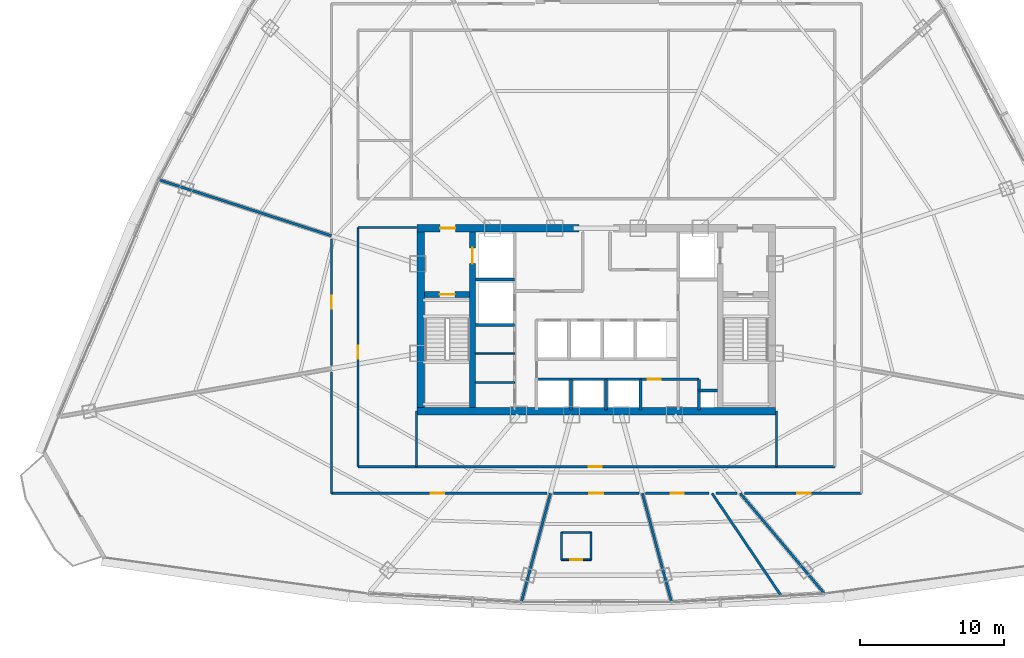
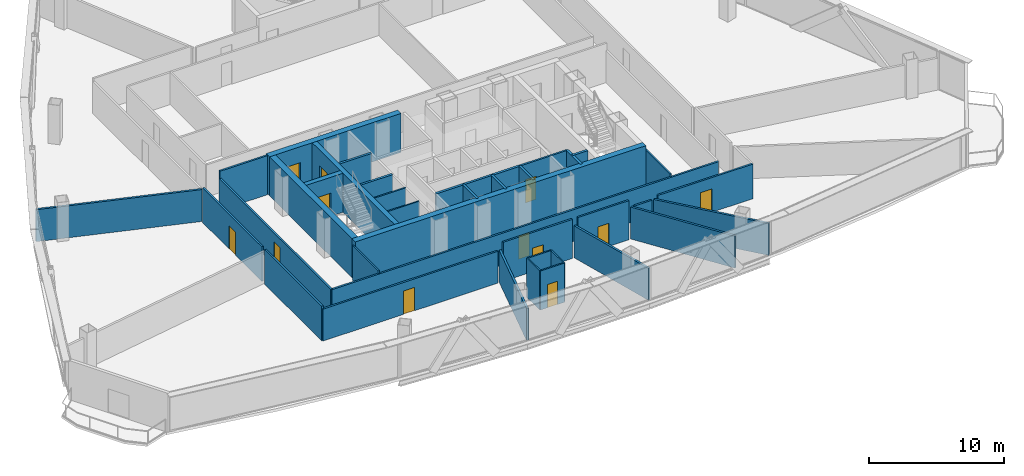
# One storey, part 30 of 37: 37 walls, 12 doors, 12 openings.
"""IFC4 building model written with IfcOpenShell, lengths in metres."""

from ifc_helpers import new_model, si_unit, direction, frame, frame_2d, origin, origin_with_axes, place, context, subcontext, project, spatial, rectangle, extrude, source, transform, mapped, material, layer, layer_set, type_object, element, fill, save


model = new_model("IFC4")

# Units and contexts
model_context = context("Model", 3, precision=1e-05, world=origin(), true_north=direction((0.0, 1.0)))
body_context = subcontext(model_context, "Body", "Model", "MODEL_VIEW")
ifc_project = project(units=[si_unit("LENGTHUNIT", "METRE"), si_unit("AREAUNIT", "SQUARE_METRE"), si_unit("VOLUMEUNIT", "CUBIC_METRE"), si_unit("PLANEANGLEUNIT", "RADIAN"), si_unit("MASSUNIT", "GRAM", prefix="KILO"), si_unit("THERMODYNAMICTEMPERATUREUNIT", "KELVIN"), si_unit("POWERUNIT", "WATT")], contexts=[model_context])

# Site, building, storey
site_placement = place(None, origin())
site = spatial("IfcSite", under=ifc_project, at=site_placement, CompositionType="ELEMENT")
building_placement = place(site_placement, origin())
building = spatial("IfcBuilding", under=site, at=building_placement, Name="Yunzhuo Pagoda Commons", CompositionType="ELEMENT")
storey_placement = place(building_placement, frame((0.0, 0.0, 196.159912109375)))
storey = spatial("IfcBuildingStorey", under=building, at=storey_placement, Name="L49", CompositionType="ELEMENT", Elevation=196.159912109375)

# Wall
ifc_material_1 = material(Name="Concrete C50", Category="concrete")
ifc_layer_1 = layer(ifc_material_1, 0.5)
ifc_layer_set_1 = layer_set([ifc_layer_1], Name="Concrete C50")
wall_type_1 = type_object("IfcWallType", Name="W-C03 Upper Core Shear Wall 500", PredefinedType="SHEAR", material=ifc_layer_set_1)
wall_1_placement = place(storey_placement, frame((35.550048828125, 27.5, 0.0), z_axis=(0.0, 0.0, 1.0), x_axis=(1.0, 0.0, 0.0)))
element("IfcWall", 1, at=wall_1_placement, inside=storey, type_object=wall_type_1, Name="L49 core shear wall S", PredefinedType="SHEAR", context=body_context, shape_type="SweptSolid", body=[
    extrude(rectangle(XDim=24.89990234375, YDim=0.5, at=frame_2d((12.449951171875, 0.0))), origin(), (0.0, 0.0, 1.0), 3.5400390625),
])

# Wall, opening, door
wall_2_placement = place(storey_placement, frame((35.550048828125, 40.199951171875, 0.0), z_axis=(0.0, 0.0, 1.0), x_axis=(1.0, 0.0, 0.0)))
wall_2 = element("IfcWall", 2, at=wall_2_placement, inside=storey, type_object=wall_type_1, Name="L49 core shear wall NW", PredefinedType="SHEAR", context=body_context, shape_type="SweptSolid", body=[
    extrude(rectangle(XDim=11.25, YDim=0.5, at=frame_2d((5.625, 0.0))), origin(), (0.0, 0.0, 1.0), 3.5400390625),
])
opening_1_placement = place(wall_2_placement, frame((1.60009765625, 0.0, 0.0)))
opening_1 = element("IfcOpeningElement", 3, at=opening_1_placement, cuts=wall_2, Name="Opening D-02", PredefinedType="OPENING", context=body_context, shape_type="SweptSolid", body=[
    extrude(rectangle(XDim=1.050048828125, YDim=2.10009765625, at=frame_2d((0.52490234375, 1.050048828125))), frame((0.0, 0.260009765625, 0.0), z_axis=(0.0, -1.0, 0.0), x_axis=(1.0, 0.0, 0.0)), (0.0, 0.0, 1.0), 0.52001953125),
])
ifc_material_2 = material(Name="Galvanized fire-resisting metal leaf")
door_type_1 = type_object("IfcDoorType", Name="D-02 Firefighting Lobby & Refuge Fire Door 1050x2100", OperationType="NOTDEFINED", PredefinedType="DOOR", material=ifc_material_2)
shared_shape_1 = source(origin(), body_context, "Body", "SweptSolid", [
    extrude(rectangle(XDim=1.050048828125, YDim=2.10009765625, at=frame_2d((0.52490234375, 1.050048828125))), frame((0.0, 0.02490234375, 0.0), z_axis=(0.0, -1.0, 0.0), x_axis=(1.0, 0.0, 0.0)), (0.0, 0.0, 1.0), 0.050048828125),
])
door_1_placement = place(opening_1_placement, frame((1.050048828125, 0.0, 0.0), z_axis=(0.0, 0.0, 1.0), x_axis=(-1.0, 0.0, 0.0)))
door_1 = element("IfcDoor", 4, at=door_1_placement, inside=storey, type_object=door_type_1, Name="L49 Firefighting Lobby 1 fire door", OperationType="SINGLE_SWING_LEFT", OverallHeight=2.10009765625, OverallWidth=1.050048828125, PredefinedType="DOOR", context=body_context, shape_type="MappedRepresentation", body=[
    mapped(shared_shape_1, transform((0.0, 0.0, 0.0), scale=1.0)),
])
fill(opening_1, door_1)

# Wall
wall_3_placement = place(storey_placement, frame((35.800048828125, 27.75, 0.0), z_axis=(0.0, 0.0, 1.0), x_axis=(0.0, 1.0, 0.0)))
element("IfcWall", 5, at=wall_3_placement, inside=storey, type_object=wall_type_1, Name="L49 core shear wall W", PredefinedType="SHEAR", context=body_context, shape_type="SweptSolid", body=[
    extrude(rectangle(XDim=12.199951171875, YDim=0.5, at=frame_2d((6.10009765625, 0.0))), origin(), (0.0, 0.0, 1.0), 3.5400390625),
])

# Wall, opening, door
ifc_material_3 = material(Name="Gypsum plasterboard on acoustic stud")
ifc_layer_2 = layer(ifc_material_3, 0.155029296875)
ifc_layer_set_2 = layer_set([ifc_layer_2], Name="Gypsum plasterboard on acoustic stud")
wall_type_2 = type_object("IfcWallType", Name="W-COR2 Mid-Zone Rated Corridor Wall 155", PredefinedType="PARTITIONING", material=ifc_layer_set_2)
wall_4_placement = place(storey_placement, frame((51.050048828125, 29.719970703125, 0.0), z_axis=(0.0, 0.0, 1.0), x_axis=(1.0, 0.0, 0.0)))
wall_4 = element("IfcWall", 6, at=wall_4_placement, inside=storey, type_object=wall_type_2, Name="L49 interior wall IW-L49-CSES", PredefinedType="PARTITIONING", context=body_context, shape_type="SweptSolid", body=[
    extrude(rectangle(XDim=4.070068359375, YDim=0.155029296875, at=frame_2d((2.03515625, 0.0))), origin(), (0.0, 0.0, 1.0), 3.5400390625),
])
opening_2_placement = place(wall_4_placement, frame((0.5, 0.0, 0.0)))
opening_2 = element("IfcOpeningElement", 7, at=opening_2_placement, cuts=wall_4, Name="Opening D-03", PredefinedType="OPENING", context=body_context, shape_type="SweptSolid", body=[
    extrude(rectangle(XDim=0.89990234375, YDim=2.10009765625, at=frame_2d((0.449951171875, 1.050048828125))), frame((0.0, 0.08740234375, 0.0), z_axis=(0.0, -1.0, 0.0), x_axis=(1.0, 0.0, 0.0)), (0.0, 0.0, 1.0), 0.175048828125),
])
door_type_2 = type_object("IfcDoorType", Name="D-03 Core Service Fire Door 900x2100", OperationType="NOTDEFINED", PredefinedType="DOOR", material=ifc_material_2)
shared_shape_2 = source(origin(), body_context, "Body", "SweptSolid", [
    extrude(rectangle(XDim=0.89990234375, YDim=2.10009765625, at=frame_2d((0.449951171875, 1.050048828125))), frame((0.0, 0.02490234375, 0.0), z_axis=(0.0, -1.0, 0.0), x_axis=(1.0, 0.0, 0.0)), (0.0, 0.0, 1.0), 0.050048828125),
])
door_2_placement = place(opening_2_placement, origin_with_axes())
door_2 = element("IfcDoor", 8, at=door_2_placement, inside=storey, type_object=door_type_2, Name="L49 core pantry door", OperationType="SINGLE_SWING_RIGHT", OverallHeight=2.10009765625, OverallWidth=0.89990234375, PredefinedType="DOOR", context=body_context, shape_type="MappedRepresentation", body=[
    mapped(shared_shape_2, transform((0.0, 0.0, 0.0), scale=1.0)),
])
fill(opening_2, door_2)

wall_5_placement = place(storey_placement, frame((31.449951171875, 23.64990234375, 0.0), z_axis=(0.0, 0.0, 1.0), x_axis=(0.0, 1.0, 0.0)))
wall_5 = element("IfcWall", 9, at=wall_5_placement, inside=storey, type_object=wall_type_2, Name="L49 interior wall IW-L49-SFLW", PredefinedType="PARTITIONING", context=body_context, shape_type="SweptSolid", body=[
    extrude(rectangle(XDim=16.60009765625, YDim=0.155029296875, at=frame_2d((8.300048828125, 0.0))), origin(), (0.0, 0.0, 1.0), 2.89013671875),
])
opening_3_placement = place(wall_5_placement, frame((7.5, 0.0, 0.0)))
opening_3 = element("IfcOpeningElement", 10, at=opening_3_placement, cuts=wall_5, Name="Opening D-12", PredefinedType="OPENING", context=body_context, shape_type="SweptSolid", body=[
    extrude(rectangle(XDim=0.89990234375, YDim=2.080078125, at=frame_2d((0.449951171875, 1.0400390625))), frame((0.0, 0.08740234375, 0.0), z_axis=(0.0, -1.0, 0.0), x_axis=(1.0, 0.0, 0.0)), (0.0, 0.0, 1.0), 0.175048828125),
])
ifc_material_4 = material(Name="Powder-coated aluminium and timber acoustic leaf", Category="wood")
door_type_3 = type_object("IfcDoorType", Name="D-12 Quiet Study Interior Door 900x2080", OperationType="NOTDEFINED", PredefinedType="DOOR", material=ifc_material_4)
shared_shape_3 = source(origin(), body_context, "Body", "SweptSolid", [
    extrude(rectangle(XDim=0.89990234375, YDim=2.080078125, at=frame_2d((0.449951171875, 1.0400390625))), frame((0.0, 0.02490234375, 0.0), z_axis=(0.0, -1.0, 0.0), x_axis=(1.0, 0.0, 0.0)), (0.0, 0.0, 1.0), 0.050048828125),
])
door_3_placement = place(opening_3_placement, origin_with_axes())
door_3 = element("IfcDoor", 11, at=door_3_placement, inside=storey, type_object=door_type_3, Name="L49 west study workroom door", OperationType="SINGLE_SWING_LEFT", OverallHeight=2.080078125, OverallWidth=0.89990234375, PredefinedType="DOOR", context=body_context, shape_type="MappedRepresentation", body=[
    mapped(shared_shape_3, transform((0.0, 0.0, 0.0), scale=1.0)),
])
fill(opening_3, door_3)

wall_6_placement = place(storey_placement, frame((31.449951171875, 23.64990234375, 0.0), z_axis=(0.0, 0.0, 1.0), x_axis=(1.0, 0.0, 0.0)))
wall_6 = element("IfcWall", 12, at=wall_6_placement, inside=storey, type_object=wall_type_2, Name="L49 interior wall IW-L49-SFLS", PredefinedType="PARTITIONING", context=body_context, shape_type="SweptSolid", body=[
    extrude(rectangle(XDim=33.10009765625, YDim=0.155029296875, at=frame_2d((16.550048828125, 0.0))), origin(), (0.0, 0.0, 1.0), 2.89013671875),
])
opening_4_placement = place(wall_6_placement, frame((16.0, 0.0, 0.0)))
opening_4 = element("IfcOpeningElement", 13, at=opening_4_placement, cuts=wall_6, Name="Opening D-04", PredefinedType="OPENING", context=body_context, shape_type="SweptSolid", body=[
    extrude(rectangle(XDim=0.919921875, YDim=2.10009765625, at=frame_2d((0.4599609375, 1.050048828125))), frame((0.0, 0.08740234375, 0.0), z_axis=(0.0, -1.0, 0.0), x_axis=(1.0, 0.0, 0.0)), (0.0, 0.0, 1.0), 0.175048828125),
])
door_type_4 = type_object("IfcDoorType", Name="D-04 Bedroom & Study Interior Door 920x2100", OperationType="NOTDEFINED", PredefinedType="DOOR", material=ifc_material_4)
shared_shape_4 = source(origin(), body_context, "Body", "SweptSolid", [
    extrude(rectangle(XDim=0.919921875, YDim=2.10009765625, at=frame_2d((0.4599609375, 1.050048828125))), frame((0.0, 0.02490234375, 0.0), z_axis=(0.0, -1.0, 0.0), x_axis=(1.0, 0.0, 0.0)), (0.0, 0.0, 1.0), 0.050048828125),
])
door_4_placement = place(opening_4_placement, frame((0.919921875, 0.0, 0.0), z_axis=(0.0, 0.0, 1.0), x_axis=(-1.0, 0.0, 0.0)))
door_4 = element("IfcDoor", 14, at=door_4_placement, inside=storey, type_object=door_type_4, Name="L49 south seminar room door", OperationType="SINGLE_SWING_RIGHT", OverallHeight=2.10009765625, OverallWidth=0.919921875, PredefinedType="DOOR", context=body_context, shape_type="MappedRepresentation", body=[
    mapped(shared_shape_4, transform((0.0, 0.0, 0.0), scale=1.0)),
])
fill(opening_4, door_4)

# Walls
wall_7_placement = place(storey_placement, frame((31.449951171875, 40.25, 0.0), z_axis=(0.0, 0.0, 1.0), x_axis=(1.0, 0.0, 0.0)))
element("IfcWall", 15, at=wall_7_placement, inside=storey, type_object=wall_type_2, Name="L49 interior wall IW-L49-SFLNW", PredefinedType="PARTITIONING", context=body_context, shape_type="SweptSolid", body=[
    extrude(rectangle(XDim=4.050048828125, YDim=0.155029296875, at=frame_2d((2.02490234375, 0.0))), origin(), (0.0, 0.0, 1.0), 3.5400390625),
])
wall_8_placement = place(storey_placement, frame((29.60009765625, 21.800048828125, 0.0), z_axis=(0.0, 0.0, 1.0), x_axis=(0.0, 1.0, 0.0)))
element("IfcWall", 16, at=wall_8_placement, inside=storey, type_object=wall_type_2, Name="L49 interior wall IW-L49-CWL01", PredefinedType="PARTITIONING", context=body_context, shape_type="SweptSolid", body=[
    extrude(rectangle(XDim=8.43212890625, YDim=0.155029296875, at=frame_2d((4.216064453125, 0.0))), origin(), (0.0, 0.0, 1.0), 3.14013671875),
])

# Wall, opening, door
wall_9_placement = place(storey_placement, frame((29.60009765625, 30.67529296875, 0.0), z_axis=(0.0, 0.0, 1.0), x_axis=(0.0, 1.0, 0.0)))
wall_9 = element("IfcWall", 17, at=wall_9_placement, inside=storey, type_object=wall_type_2, Name="L49 interior wall IW-L49-CWL02", PredefinedType="PARTITIONING", context=body_context, shape_type="SweptSolid", body=[
    extrude(rectangle(XDim=8.783447265625, YDim=0.155029296875, at=frame_2d((4.3916015625, 0.0))), origin(), (0.0, 0.0, 1.0), 3.14013671875),
])
opening_5_placement = place(wall_9_placement, frame((3.931640625, 0.0, 0.0)))
opening_5 = element("IfcOpeningElement", 18, at=opening_5_placement, cuts=wall_9, Name="Opening D-04", PredefinedType="OPENING", context=body_context, shape_type="SweptSolid", body=[
    extrude(rectangle(XDim=0.919921875, YDim=2.10009765625, at=frame_2d((0.4599609375, 1.050048828125))), frame((0.0, 0.08740234375, 0.0), z_axis=(0.0, -1.0, 0.0), x_axis=(1.0, 0.0, 0.0)), (0.0, 0.0, 1.0), 0.175048828125),
])
door_5_placement = place(opening_5_placement, origin_with_axes())
door_5 = element("IfcDoor", 19, at=door_5_placement, inside=storey, type_object=door_type_4, Name="L49 seminar room 05 door", OperationType="SINGLE_SWING_RIGHT", OverallHeight=2.10009765625, OverallWidth=0.919921875, PredefinedType="DOOR", context=body_context, shape_type="MappedRepresentation", body=[
    mapped(shared_shape_4, transform((0.0, 0.0, 0.0), scale=1.0)),
])
fill(opening_5, door_5)

wall_10_placement = place(storey_placement, frame((66.39990234375, 21.800048828125, 0.0), z_axis=(0.0, 0.0, 1.0), x_axis=(-1.0, 0.0, 0.0)))
wall_10 = element("IfcWall", 20, at=wall_10_placement, inside=storey, type_object=wall_type_2, Name="L49 interior wall IW-L49-CWL12", PredefinedType="PARTITIONING", context=body_context, shape_type="SweptSolid", body=[
    extrude(rectangle(XDim=8.12744140625, YDim=0.155029296875, at=frame_2d((4.063720703125, 0.0))), origin(), (0.0, 0.0, 1.0), 3.14013671875),
])
opening_6_placement = place(wall_10_placement, frame((3.50244140625, 0.0, 0.0)))
opening_6 = element("IfcOpeningElement", 21, at=opening_6_placement, cuts=wall_10, Name="Opening D-07", PredefinedType="OPENING", context=body_context, shape_type="SweptSolid", body=[
    extrude(rectangle(XDim=0.9599609375, YDim=2.1201171875, at=frame_2d((0.47998046875, 1.06005859375))), frame((0.0, 0.08740234375, 0.0), z_axis=(0.0, -1.0, 0.0), x_axis=(1.0, 0.0, 0.0)), (0.0, 0.0, 1.0), 0.175048828125),
])
door_type_5 = type_object("IfcDoorType", Name="D-07 Mid-Zone Suite Entrance Fire Door 960x2120", OperationType="NOTDEFINED", PredefinedType="DOOR", material=ifc_material_2)
shared_shape_5 = source(origin(), body_context, "Body", "SweptSolid", [
    extrude(rectangle(XDim=0.9599609375, YDim=2.1201171875, at=frame_2d((0.47998046875, 1.06005859375))), frame((0.0, 0.02490234375, 0.0), z_axis=(0.0, -1.0, 0.0), x_axis=(1.0, 0.0, 0.0)), (0.0, 0.0, 1.0), 0.050048828125),
])
door_6_placement = place(opening_6_placement, origin_with_axes())
door_6 = element("IfcDoor", 22, at=door_6_placement, inside=storey, type_object=door_type_5, Name="L49 unit 10 entrance door", OperationType="SINGLE_SWING_LEFT", OverallHeight=2.1201171875, OverallWidth=0.9599609375, PredefinedType="DOOR", context=body_context, shape_type="MappedRepresentation", body=[
    mapped(shared_shape_5, transform((0.0, 0.0, 0.0), scale=1.0)),
])
fill(opening_6, door_6)

# Wall
wall_11_placement = place(storey_placement, frame((57.765380859375, 21.800048828125, 0.0), z_axis=(0.0, 0.0, 1.0), x_axis=(-1.0, 0.0, 0.0)))
element("IfcWall", 23, at=wall_11_placement, inside=storey, type_object=wall_type_2, Name="L49 interior wall IW-L49-CWL13", PredefinedType="PARTITIONING", context=body_context, shape_type="SweptSolid", body=[
    extrude(rectangle(XDim=1.473388671875, YDim=0.155029296875, at=frame_2d((0.73681640625, 0.0))), origin(), (0.0, 0.0, 1.0), 2.89013671875),
])

# Wall, opening, door
wall_12_placement = place(storey_placement, frame((55.806640625, 21.800048828125, 0.0), z_axis=(0.0, 0.0, 1.0), x_axis=(-1.0, 0.0, 0.0)))
wall_12 = element("IfcWall", 24, at=wall_12_placement, inside=storey, type_object=wall_type_2, Name="L49 interior wall IW-L49-CWL14", PredefinedType="PARTITIONING", context=body_context, shape_type="SweptSolid", body=[
    extrude(rectangle(XDim=4.39013671875, YDim=0.155029296875, at=frame_2d((2.195068359375, 0.0))), origin(), (0.0, 0.0, 1.0), 3.5400390625),
])
opening_7_placement = place(wall_12_placement, frame((1.739013671875, 0.0, 0.0)))
opening_7 = element("IfcOpeningElement", 25, at=opening_7_placement, cuts=wall_12, Name="Opening D-04", PredefinedType="OPENING", context=body_context, shape_type="SweptSolid", body=[
    extrude(rectangle(XDim=0.919921875, YDim=2.10009765625, at=frame_2d((0.4599609375, 1.050048828125))), frame((0.0, 0.08740234375, 0.0), z_axis=(0.0, -1.0, 0.0), x_axis=(1.0, 0.0, 0.0)), (0.0, 0.0, 1.0), 0.175048828125),
])
door_7_placement = place(opening_7_placement, origin_with_axes())
door_7 = element("IfcDoor", 26, at=door_7_placement, inside=storey, type_object=door_type_4, Name="L49 fellow workroom 08 door", OperationType="SINGLE_SWING_LEFT", OverallHeight=2.10009765625, OverallWidth=0.919921875, PredefinedType="DOOR", context=body_context, shape_type="MappedRepresentation", body=[
    mapped(shared_shape_4, transform((0.0, 0.0, 0.0), scale=1.0)),
])
fill(opening_7, door_7)

wall_13_placement = place(storey_placement, frame((50.96875, 21.800048828125, 0.0), z_axis=(0.0, 0.0, 1.0), x_axis=(-1.0, 0.0, 0.0)))
wall_13 = element("IfcWall", 27, at=wall_13_placement, inside=storey, type_object=wall_type_2, Name="L49 interior wall IW-L49-CWL15", PredefinedType="PARTITIONING", context=body_context, shape_type="SweptSolid", body=[
    extrude(rectangle(XDim=5.9375, YDim=0.155029296875, at=frame_2d((2.96875, 0.0))), origin(), (0.0, 0.0, 1.0), 3.5400390625),
])
opening_8_placement = place(wall_13_placement, frame((2.493896484375, 0.0, 0.0)))
opening_8 = element("IfcOpeningElement", 28, at=opening_8_placement, cuts=wall_13, Name="Opening D-07", PredefinedType="OPENING", context=body_context, shape_type="SweptSolid", body=[
    extrude(rectangle(XDim=0.9599609375, YDim=2.1201171875, at=frame_2d((0.47998046875, 1.06005859375))), frame((0.0, 0.08740234375, 0.0), z_axis=(0.0, -1.0, 0.0), x_axis=(1.0, 0.0, 0.0)), (0.0, 0.0, 1.0), 0.175048828125),
])
door_8_placement = place(opening_8_placement, origin_with_axes())
door_8 = element("IfcDoor", 29, at=door_8_placement, inside=storey, type_object=door_type_5, Name="L49 unit 07 entrance door", OperationType="SINGLE_SWING_RIGHT", OverallHeight=2.1201171875, OverallWidth=0.9599609375, PredefinedType="DOOR", context=body_context, shape_type="MappedRepresentation", body=[
    mapped(shared_shape_5, transform((0.0, 0.0, 0.0), scale=1.0)),
])
fill(opening_8, door_8)

wall_14_placement = place(storey_placement, frame((44.58349609375, 21.800048828125, 0.0), z_axis=(0.0, 0.0, 1.0), x_axis=(-1.0, 0.0, 0.0)))
wall_14 = element("IfcWall", 30, at=wall_14_placement, inside=storey, type_object=wall_type_2, Name="L49 interior wall IW-L49-CWL16", PredefinedType="PARTITIONING", context=body_context, shape_type="SweptSolid", body=[
    extrude(rectangle(XDim=14.9833984375, YDim=0.155029296875, at=frame_2d((7.49169921875, 0.0))), origin(), (0.0, 0.0, 1.0), 2.89013671875),
])
opening_9_placement = place(wall_14_placement, frame((7.1328125, 0.0, 0.0)))
opening_9 = element("IfcOpeningElement", 31, at=opening_9_placement, cuts=wall_14, Name="Opening D-07", PredefinedType="OPENING", context=body_context, shape_type="SweptSolid", body=[
    extrude(rectangle(XDim=0.9599609375, YDim=2.1201171875, at=frame_2d((0.47998046875, 1.06005859375))), frame((0.0, 0.08740234375, 0.0), z_axis=(0.0, -1.0, 0.0), x_axis=(1.0, 0.0, 0.0)), (0.0, 0.0, 1.0), 0.175048828125),
])
door_9_placement = place(opening_9_placement, origin_with_axes())
door_9 = element("IfcDoor", 32, at=door_9_placement, inside=storey, type_object=door_type_5, Name="L49 Academic Reading Commons 2 door", OperationType="SINGLE_SWING_LEFT", OverallHeight=2.1201171875, OverallWidth=0.9599609375, PredefinedType="DOOR", context=body_context, shape_type="MappedRepresentation", body=[
    mapped(shared_shape_5, transform((0.0, 0.0, 0.0), scale=1.0)),
])
fill(opening_9, door_9)

# Walls
ifc_layer_3 = layer(ifc_material_3, 0.1201171875)
ifc_layer_set_3 = layer_set([ifc_layer_3], Name="Gypsum plasterboard on acoustic stud")
wall_type_3 = type_object("IfcWallType", Name="W-PRT1 Suite & Bathroom Partition 120", PredefinedType="PARTITIONING", material=ifc_layer_set_3)
for number, where, z_axis, x_axis, name in (
    (33, (39.60009765625, 29.5, 0.0), (0.0, 0.0, 1.0), (1.0, 0.0, 0.0), "L49 interior wall IW-L49-CC1"),
    (34, (39.60009765625, 31.5, 0.0), (0.0, 0.0, 1.0), (1.0, 0.0, 0.0), "L49 interior wall IW-L49-CC2"),
):
    element("IfcWall", number, at=place(storey_placement, frame(where, z_axis=z_axis, x_axis=x_axis)), inside=storey, type_object=wall_type_3, Name=name, PredefinedType="PARTITIONING", context=body_context, shape_type="SweptSolid", body=[
        extrude(rectangle(XDim=2.719970703125, YDim=0.1201171875, at=frame_2d((1.35986328125, 0.0))), origin(), (0.0, 0.0, 1.0), 3.5400390625),
    ])
for number, where, z_axis, x_axis, name in (
    (35, (35.5, 23.64990234375, 0.0), (0.0, 0.0, 1.0), (0.0, 1.0, 0.0), "L49 interior wall IW-L49-SFLD1"),
    (36, (60.5, 23.64990234375, 0.0), (0.0, 0.0, 1.0), (0.0, 1.0, 0.0), "L49 interior wall IW-L49-SFLD2"),
):
    element("IfcWall", number, at=place(storey_placement, frame(where, z_axis=z_axis, x_axis=x_axis)), inside=storey, type_object=wall_type_3, Name=name, PredefinedType="PARTITIONING", context=body_context, shape_type="SweptSolid", body=[
        extrude(rectangle(XDim=3.85009765625, YDim=0.1201171875, at=frame_2d((1.925048828125, 0.0))), origin(), (0.0, 0.0, 1.0), 3.14013671875),
    ])

# Wall, opening, door
wall_15_placement = place(storey_placement, frame((45.574951171875, 17.18701171875, 0.0), z_axis=(0.0, 0.0, 1.0), x_axis=(1.0, 0.0, 0.0)))
wall_15 = element("IfcWall", 37, at=wall_15_placement, inside=storey, type_object=wall_type_3, Name="L49 interior wall IW-L49-B07S", PredefinedType="PARTITIONING", context=body_context, shape_type="SweptSolid", body=[
    extrude(rectangle(XDim=2.050048828125, YDim=0.1201171875, at=frame_2d((1.02490234375, 0.0))), origin(), (0.0, 0.0, 1.0), 3.5400390625),
])
opening_10_placement = place(wall_15_placement, frame((0.60009765625, 0.0, 0.0)))
opening_10 = element("IfcOpeningElement", 38, at=opening_10_placement, cuts=wall_15, Name="Opening D-05", PredefinedType="OPENING", context=body_context, shape_type="SweptSolid", body=[
    extrude(rectangle(XDim=0.85009765625, YDim=2.10009765625, at=frame_2d((0.425048828125, 1.050048828125))), frame((0.0, 0.070068359375, 0.0), z_axis=(0.0, -1.0, 0.0), x_axis=(1.0, 0.0, 0.0)), (0.0, 0.0, 1.0), 0.14013671875),
])
door_type_6 = type_object("IfcDoorType", Name="D-05 En-Suite Bathroom Door 850x2100", OperationType="NOTDEFINED", PredefinedType="DOOR", material=ifc_material_4)
shared_shape_6 = source(origin(), body_context, "Body", "SweptSolid", [
    extrude(rectangle(XDim=0.85009765625, YDim=2.10009765625, at=frame_2d((0.425048828125, 1.050048828125))), frame((0.0, 0.02490234375, 0.0), z_axis=(0.0, -1.0, 0.0), x_axis=(1.0, 0.0, 0.0)), (0.0, 0.0, 1.0), 0.050048828125),
])
door_10_placement = place(opening_10_placement, frame((0.85009765625, 0.0, 0.0), z_axis=(0.0, 0.0, 1.0), x_axis=(-1.0, 0.0, 0.0)))
door_10 = element("IfcDoor", 39, at=door_10_placement, inside=storey, type_object=door_type_6, Name="L49 unit 07 bathroom door", OperationType="SINGLE_SWING_RIGHT", OverallHeight=2.10009765625, OverallWidth=0.85009765625, PredefinedType="DOOR", context=body_context, shape_type="MappedRepresentation", body=[
    mapped(shared_shape_6, transform((0.0, 0.0, 0.0), scale=1.0)),
])
fill(opening_10, door_10)

# Walls
wall_16_placement = place(storey_placement, frame((47.625, 17.18701171875, 0.0), z_axis=(0.0, 0.0, 1.0), x_axis=(0.0, 1.0, 0.0)))
element("IfcWall", 40, at=wall_16_placement, inside=storey, type_object=wall_type_3, Name="L49 interior wall IW-L49-B07E", PredefinedType="PARTITIONING", context=body_context, shape_type="SweptSolid", body=[
    extrude(rectangle(XDim=1.89990234375, YDim=0.1201171875, at=frame_2d((0.949951171875, 0.0))), origin(), (0.0, 0.0, 1.0), 3.5400390625),
])
wall_17_placement = place(storey_placement, frame((47.625, 19.0869140625, 0.0), z_axis=(0.0, 0.0, 1.0), x_axis=(-1.0, 0.0, 0.0)))
element("IfcWall", 41, at=wall_17_placement, inside=storey, type_object=wall_type_3, Name="L49 interior wall IW-L49-B07N", PredefinedType="PARTITIONING", context=body_context, shape_type="SweptSolid", body=[
    extrude(rectangle(XDim=2.050048828125, YDim=0.1201171875, at=frame_2d((1.02490234375, 0.0))), origin(), (0.0, 0.0, 1.0), 3.5400390625),
])
wall_18_placement = place(storey_placement, frame((45.574951171875, 19.0869140625, 0.0), z_axis=(0.0, 0.0, 1.0), x_axis=(0.0, -1.0, 0.0)))
element("IfcWall", 42, at=wall_18_placement, inside=storey, type_object=wall_type_3, Name="L49 interior wall IW-L49-B07W", PredefinedType="PARTITIONING", context=body_context, shape_type="SweptSolid", body=[
    extrude(rectangle(XDim=1.89990234375, YDim=0.1201171875, at=frame_2d((0.949951171875, 0.0))), origin(), (0.0, 0.0, 1.0), 3.5400390625),
])
ifc_layer_4 = layer(ifc_material_3, 0.175048828125)
ifc_layer_set_4 = layer_set([ifc_layer_4], Name="Gypsum plasterboard on acoustic stud")
wall_type_4 = type_object("IfcWallType", Name="W-PRT3 Mid-Zone Demising Wall 175", PredefinedType="PARTITIONING", material=ifc_layer_set_4)
wall_19_placement = place(storey_placement, frame((29.60009765625, 39.678466796875, 0.0), z_axis=(0.0, 0.0, 1.0), x_axis=(-0.951056149915, 0.309018121975, 0.0)))
element("IfcWall", 43, at=wall_19_placement, inside=storey, type_object=wall_type_4, Name="L49 interior wall IW-L49-RAD04", PredefinedType="PARTITIONING", context=body_context, shape_type="SweptSolid", body=[
    extrude(rectangle(XDim=12.592529296875, YDim=0.175048828125, at=frame_2d((6.29638671875, 0.0))), origin(), (0.0, 0.0, 1.0), 2.89013671875),
])
for number, where, z_axis, x_axis, name in (
    (44, (44.811279296875, 21.800048828125, 0.0), (0.0, 0.0, 1.0), (-0.258810863021, -0.965928018634, 0.0), "L49 interior wall IW-L49-RAD06"),
    (45, (51.188720703125, 21.800048828125, 0.0), (0.0, 0.0, 1.0), (0.258810863021, -0.965928018634, 0.0), "L49 interior wall IW-L49-RAD07"),
):
    element("IfcWall", number, at=place(storey_placement, frame(where, z_axis=z_axis, x_axis=x_axis)), inside=storey, type_object=wall_type_4, Name=name, PredefinedType="PARTITIONING", context=body_context, shape_type="SweptSolid", body=[
        extrude(rectangle(XDim=7.833251953125, YDim=0.175048828125, at=frame_2d((3.91650390625, 0.0))), origin(), (0.0, 0.0, 1.0), 2.89013671875),
    ])
wall_20_placement = place(storey_placement, frame((56.026611328125, 21.800048828125, 0.0), z_axis=(0.0, 0.0, 1.0), x_axis=(0.559186988523, -0.829041562207, 0.0)))
element("IfcWall", 46, at=wall_20_placement, inside=storey, type_object=wall_type_4, Name="L49 interior wall IW-L49-RAD08", PredefinedType="PARTITIONING", context=body_context, shape_type="SweptSolid", body=[
    extrude(rectangle(XDim=8.611083984375, YDim=0.175048828125, at=frame_2d((4.3056640625, 0.0))), origin(), (0.0, 0.0, 1.0), 2.89013671875),
])
wall_21_placement = place(storey_placement, frame((57.9853515625, 21.800048828125, 0.0), z_axis=(0.0, 0.0, 1.0), x_axis=(0.642790573147, -0.76604195647, 0.0)))
element("IfcWall", 47, at=wall_21_placement, inside=storey, type_object=wall_type_4, Name="L49 interior wall IW-L49-RAD09", PredefinedType="PARTITIONING", context=body_context, shape_type="SweptSolid", body=[
    extrude(rectangle(XDim=9.099853515625, YDim=0.175048828125, at=frame_2d((4.5498046875, 0.0))), origin(), (0.0, 0.0, 1.0), 2.89013671875),
])

# Wall, opening, door
ifc_material_5 = material(Name="Concrete C60", Category="concrete")
ifc_layer_5 = layer(ifc_material_5, 0.39990234375)
ifc_layer_set_5 = layer_set([ifc_layer_5], Name="Concrete C60")
wall_type_5 = type_object("IfcWallType", Name="W-S01 Internal Core Shear Web 400", PredefinedType="SHEAR", material=ifc_layer_set_5)
wall_22_placement = place(storey_placement, frame((39.39990234375, 27.75, 0.0), z_axis=(0.0, 0.0, 1.0), x_axis=(0.0, 1.0, 0.0)))
wall_22 = element("IfcWall", 48, at=wall_22_placement, inside=storey, type_object=wall_type_5, Name="L49 core shear wall WEBW", PredefinedType="SHEAR", context=body_context, shape_type="SweptSolid", body=[
    extrude(rectangle(XDim=12.199951171875, YDim=0.39990234375, at=frame_2d((6.10009765625, 0.0))), origin(), (0.0, 0.0, 1.0), 3.5400390625),
])
opening_11_placement = place(wall_22_placement, frame((10.0, 0.0, 0.0)))
opening_11 = element("IfcOpeningElement", 49, at=opening_11_placement, cuts=wall_22, Name="Opening LD-01", PredefinedType="OPENING", context=body_context, shape_type="SweptSolid", body=[
    extrude(rectangle(XDim=1.10009765625, YDim=2.10009765625, at=frame_2d((0.550048828125, 1.050048828125))), frame((0.0, 0.2099609375, 0.0), z_axis=(0.0, -1.0, 0.0), x_axis=(1.0, 0.0, 0.0)), (0.0, 0.0, 1.0), 0.419921875),
])
door_type_7 = type_object("IfcDoorType", Name="LD-01 Firefighting Lift Landing Door 1100x2100", OperationType="DOUBLE_DOOR_SLIDING", PredefinedType="DOOR", material=ifc_material_2)
shared_shape_7 = source(origin(), body_context, "Body", "SweptSolid", [
    extrude(rectangle(XDim=1.10009765625, YDim=2.10009765625, at=frame_2d((0.550048828125, 1.050048828125))), frame((0.0, 0.02490234375, 0.0), z_axis=(0.0, -1.0, 0.0), x_axis=(1.0, 0.0, 0.0)), (0.0, 0.0, 1.0), 0.050048828125),
])
door_11_placement = place(opening_11_placement, frame((1.10009765625, 0.0, 0.0), z_axis=(0.0, 0.0, 1.0), x_axis=(-1.0, 0.0, 0.0)))
door_11 = element("IfcDoor", 50, at=door_11_placement, inside=storey, type_object=door_type_7, Name="L49 Firefighting lift FL-1 landing door", OperationType="DOUBLE_DOOR_SLIDING", OverallHeight=2.10009765625, OverallWidth=1.10009765625, PredefinedType="DOOR", context=body_context, shape_type="MappedRepresentation", body=[
    mapped(shared_shape_7, transform((0.0, 0.0, 0.0), scale=1.0)),
])
fill(opening_11, door_11)

wall_23_placement = place(storey_placement, frame((36.050048828125, 35.60009765625, 0.0), z_axis=(0.0, 0.0, 1.0), x_axis=(1.0, 0.0, 0.0)))
wall_23 = element("IfcWall", 51, at=wall_23_placement, inside=storey, type_object=wall_type_5, Name="L49 core shear wall STW", PredefinedType="SHEAR", context=body_context, shape_type="SweptSolid", body=[
    extrude(rectangle(XDim=3.14990234375, YDim=0.39990234375, at=frame_2d((1.574951171875, 0.0))), origin(), (0.0, 0.0, 1.0), 3.5400390625),
])
opening_12_placement = place(wall_23_placement, frame((1.070068359375, 0.0, 0.0)))
opening_12 = element("IfcOpeningElement", 52, at=opening_12_placement, cuts=wall_23, Name="Opening D-01", PredefinedType="OPENING", context=body_context, shape_type="SweptSolid", body=[
    extrude(rectangle(XDim=1.050048828125, YDim=2.10009765625, at=frame_2d((0.52490234375, 1.050048828125))), frame((0.0, 0.2099609375, 0.0), z_axis=(0.0, -1.0, 0.0), x_axis=(1.0, 0.0, 0.0)), (0.0, 0.0, 1.0), 0.419921875),
])
door_type_8 = type_object("IfcDoorType", Name="D-01 Smokeproof Stair Fire Door 1050x2100", OperationType="NOTDEFINED", PredefinedType="DOOR", material=ifc_material_2)
door_12_placement = place(opening_12_placement, frame((1.050048828125, 0.0, 0.0), z_axis=(0.0, 0.0, 1.0), x_axis=(-1.0, 0.0, 0.0)))
door_12 = element("IfcDoor", 53, at=door_12_placement, inside=storey, type_object=door_type_8, Name="L49 Stair ST1 fire door", OperationType="SINGLE_SWING_LEFT", OverallHeight=2.10009765625, OverallWidth=1.050048828125, PredefinedType="DOOR", context=body_context, shape_type="MappedRepresentation", body=[
    mapped(shared_shape_1, transform((0.0, 0.0, 0.0), scale=1.0)),
])
fill(opening_12, door_12)

# Walls
ifc_material_6 = material(Name="Concrete C40", Category="concrete")
ifc_layer_6 = layer(ifc_material_6, 0.199951171875)
ifc_layer_set_6 = layer_set([ifc_layer_6], Name="Concrete C40")
wall_type_6 = type_object("IfcWallType", Name="W-SHF Shaft & Stair Enclosure Wall 200", PredefinedType="SOLIDWALL", material=ifc_layer_set_6)
for number, where, z_axis, x_axis, name in (
    (54, (39.60009765625, 36.64990234375, 0.0), (0.0, 0.0, 1.0), (1.0, 0.0, 0.0), "L49 interior wall IW-L49-FL1S"),
    (55, (39.60009765625, 33.5, 0.0), (0.0, 0.0, 1.0), (1.0, 0.0, 0.0), "L49 interior wall IW-L49-SL1S"),
):
    element("IfcWall", number, at=place(storey_placement, frame(where, z_axis=z_axis, x_axis=x_axis)), inside=storey, type_object=wall_type_6, Name=name, PredefinedType="SOLIDWALL", context=body_context, shape_type="SweptSolid", body=[
        extrude(rectangle(XDim=2.719970703125, YDim=0.199951171875, at=frame_2d((1.35986328125, 0.0))), origin(), (0.0, 0.0, 1.0), 3.5400390625),
    ])
wall_24_placement = place(storey_placement, frame((43.85009765625, 29.719970703125, 0.0), z_axis=(0.0, 0.0, 1.0), x_axis=(1.0, 0.0, 0.0)))
element("IfcWall", 56, at=wall_24_placement, inside=storey, type_object=wall_type_6, Name="L49 interior wall IW-L49-PLHN", PredefinedType="SOLIDWALL", context=body_context, shape_type="SweptSolid", body=[
    extrude(rectangle(XDim=7.199951171875, YDim=0.199951171875, at=frame_2d((3.60009765625, 0.0))), origin(), (0.0, 0.0, 1.0), 3.5400390625),
])
for number, where, z_axis, x_axis, name in (
    (57, (51.050048828125, 27.60009765625, 0.0), (0.0, 0.0, 1.0), (0.0, 1.0, 0.0), "L49 interior wall IW-L49-PLHE"),
    (58, (46.22509765625, 27.60009765625, 0.0), (0.0, 0.0, 1.0), (0.0, 1.0, 0.0), "L49 interior wall IW-L49-PLHD1"),
    (59, (48.675048828125, 27.60009765625, 0.0), (0.0, 0.0, 1.0), (0.0, 1.0, 0.0), "L49 interior wall IW-L49-PLHD2"),
    (60, (55.1201171875, 27.60009765625, 0.0), (0.0, 0.0, 1.0), (0.0, 1.0, 0.0), "L49 interior wall IW-L49-RSHFW"),
):
    element("IfcWall", number, at=place(storey_placement, frame(where, z_axis=z_axis, x_axis=x_axis)), inside=storey, type_object=wall_type_6, Name=name, PredefinedType="SOLIDWALL", context=body_context, shape_type="SweptSolid", body=[
        extrude(rectangle(XDim=2.119873046875, YDim=0.199951171875, at=frame_2d((1.06005859375, 0.0))), origin(), (0.0, 0.0, 1.0), 3.5400390625),
    ])
wall_25_placement = place(storey_placement, frame((55.1201171875, 28.949951171875, 0.0), z_axis=(0.0, 0.0, 1.0), x_axis=(1.0, 0.0, 0.0)))
element("IfcWall", 61, at=wall_25_placement, inside=storey, type_object=wall_type_6, Name="L49 interior wall IW-L49-RSHFN", PredefinedType="SOLIDWALL", context=body_context, shape_type="SweptSolid", body=[
    extrude(rectangle(XDim=1.27978515625, YDim=0.199951171875, at=frame_2d((0.639892578125, 0.0))), origin(), (0.0, 0.0, 1.0), 3.5400390625),
])

save(model, "model.ifc")
